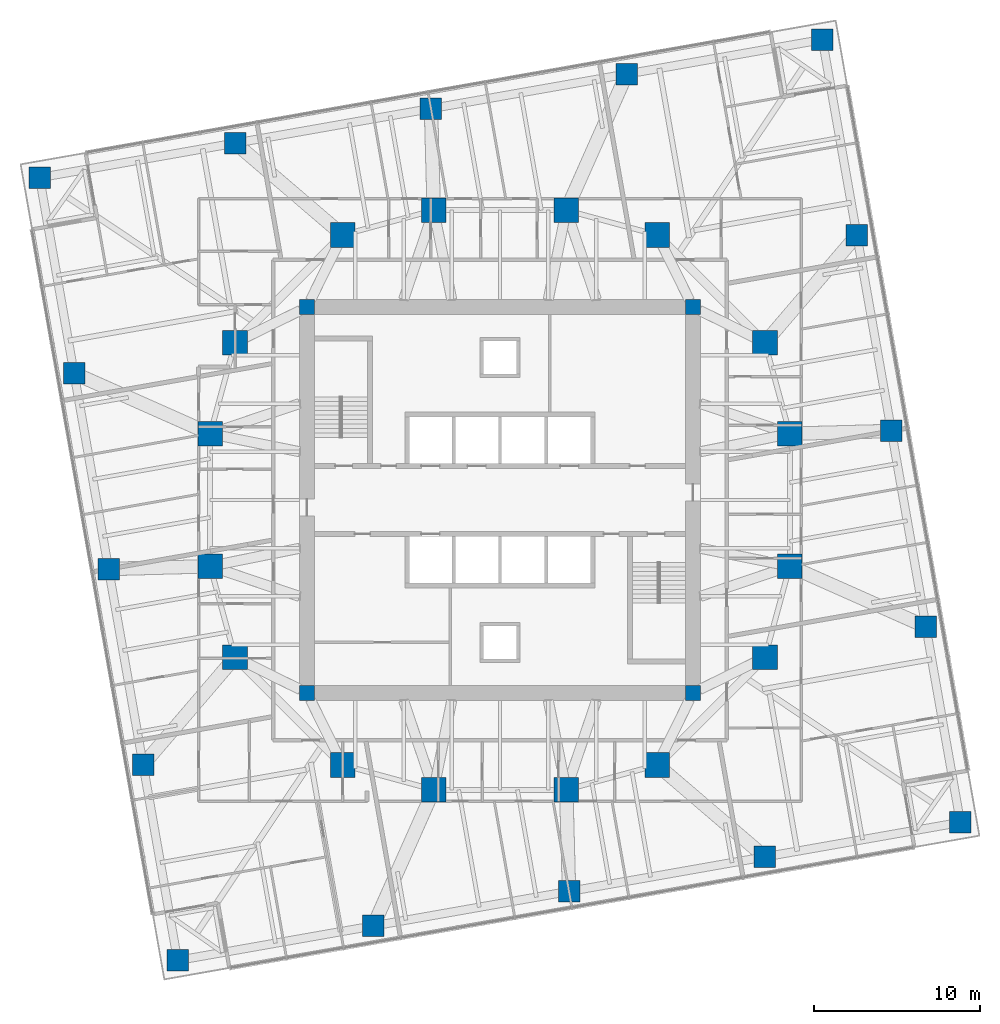
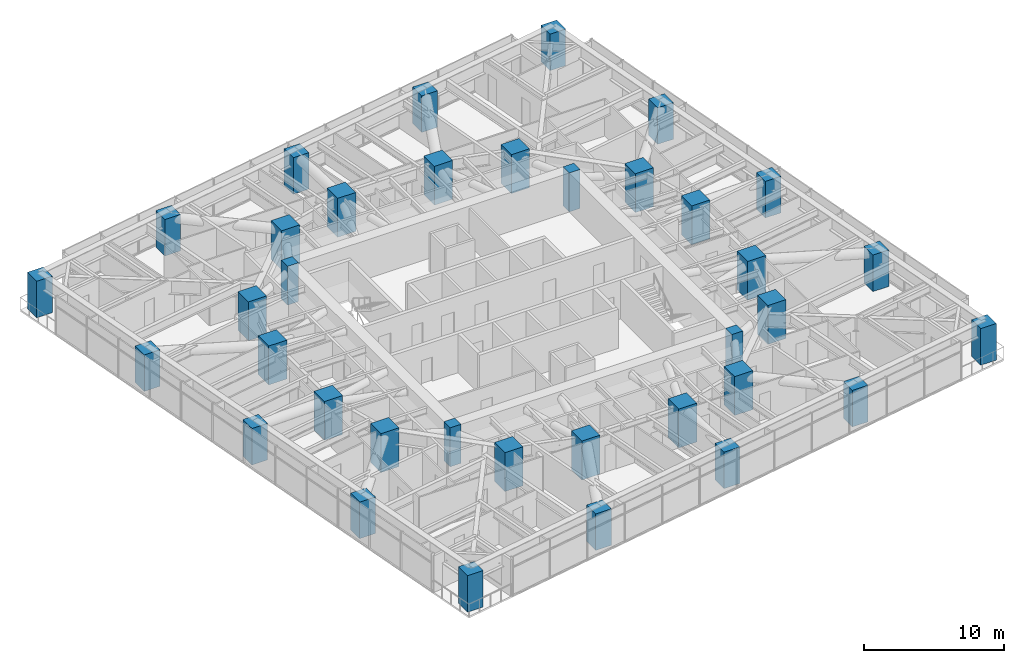
# One storey, part 1 of 17: 36 columns.
"""IFC4 building model written with IfcOpenShell, lengths in metres."""

from ifc_helpers import new_model, si_unit, direction, frame, origin, origin_2d, place, context, subcontext, project, spatial, rectangle, extrude, material, material_profile, profile_set, type_object, element, save


model = new_model("IFC4")

# Units and contexts
model_context = context("Model", 3, precision=1e-05, world=origin(), true_north=direction((0.0, 1.0)))
body_context = subcontext(model_context, "Body", "Model", "MODEL_VIEW")
ifc_project = project(units=[si_unit("LENGTHUNIT", "METRE"), si_unit("AREAUNIT", "SQUARE_METRE"), si_unit("VOLUMEUNIT", "CUBIC_METRE"), si_unit("PLANEANGLEUNIT", "RADIAN"), si_unit("MASSUNIT", "GRAM", prefix="KILO")], contexts=[model_context])

# Site, building, storey
site_placement = place(None, origin())
site = spatial("IfcSite", under=ifc_project, at=site_placement, CompositionType="ELEMENT")
building_placement = place(site_placement, origin())
building = spatial("IfcBuilding", under=site, at=building_placement, Name="Torsade Residences", CompositionType="ELEMENT")
storey_placement = place(building_placement, frame((0.0, 0.0, 103.199951171875)))
storey = spatial("IfcBuildingStorey", under=building, at=storey_placement, Name="L28", CompositionType="ELEMENT", Elevation=103.199951171875)

# Columns
ifc_material_1 = material(Name="Concrete 80 MPa", Category="concrete")
ifc_material_profile_1 = material_profile(ifc_material_1, rectangle(XDim=0.89990234375, YDim=0.89990234375, at=origin_2d()), Name="RC 900x900")
ifc_profile_set_1 = profile_set([ifc_material_profile_1], Name="Concrete 80 MPa")
column_type_1 = type_object("IfcColumnType", Name="CORE CORNER COLUMN RC 900x900", PredefinedType="COLUMN", material=ifc_profile_set_1)
for number, where, z_axis, x_axis, name in (
    (1, (28.35009765625, 18.35009765625, 0.0), (0.0, 0.0, 1.0), (1.0, 0.0, 0.0), "Core corner column CC1 L28"),
    (2, (51.64990234375, 18.35009765625, 0.0), (0.0, 0.0, 1.0), (1.0, 0.0, 0.0), "Core corner column CC2 L28"),
    (3, (51.64990234375, 41.64990234375, 0.0), (0.0, 0.0, 1.0), (1.0, 0.0, 0.0), "Core corner column CC3 L28"),
    (4, (28.35009765625, 41.64990234375, 0.0), (0.0, 0.0, 1.0), (1.0, 0.0, 0.0), "Core corner column CC4 L28"),
):
    element("IfcColumn", number, at=place(storey_placement, frame(where, z_axis=z_axis, x_axis=x_axis)), inside=storey, type_object=column_type_1, Name=name, PredefinedType="COLUMN", context=body_context, shape_type="SweptSolid", body=[
        extrude(rectangle(XDim=0.89990234375, YDim=0.89990234375, at=origin_2d()), origin(), (0.0, 0.0, 1.0), 3.400146484375),
    ])
ifc_material_2 = material(Name="Concrete 80 MPa", Category="concrete")
ifc_material_profile_2 = material_profile(ifc_material_2, rectangle(XDim=1.5, YDim=1.5, at=origin_2d()), Name="RC 1500x1500")
ifc_profile_set_2 = profile_set([ifc_material_profile_2], Name="Concrete 80 MPa")
column_type_2 = type_object("IfcColumnType", Name="INNER RING COLUMN RC 1500x1500", PredefinedType="COLUMN", material=ifc_profile_set_2)
for number, where, z_axis, x_axis, name in (
    (5, (57.5, 26.0, 0.0), (0.0, 0.0, 1.0), (1.0, 0.0, 0.0), "Inner ring column IR01 L28"),
    (6, (57.5, 34.0, 0.0), (0.0, 0.0, 1.0), (1.0, 0.0, 0.0), "Inner ring column IR02 L28"),
    (7, (56.0, 39.5, 0.0), (0.0, 0.0, 1.0), (1.0, 0.0, 0.0), "Inner ring column IR03 L28"),
    (8, (49.5, 46.0, 0.0), (0.0, 0.0, 1.0), (1.0, 0.0, 0.0), "Inner ring column IR04 L28"),
    (9, (44.0, 47.5, 0.0), (0.0, 0.0, 1.0), (1.0, 0.0, 0.0), "Inner ring column IR05 L28"),
    (10, (36.0, 47.5, 0.0), (0.0, 0.0, 1.0), (1.0, 0.0, 0.0), "Inner ring column IR06 L28"),
    (11, (30.5, 46.0, 0.0), (0.0, 0.0, 1.0), (1.0, 0.0, 0.0), "Inner ring column IR07 L28"),
    (12, (24.0, 39.5, 0.0), (0.0, 0.0, 1.0), (1.0, 0.0, 0.0), "Inner ring column IR08 L28"),
    (13, (22.5, 34.0, 0.0), (0.0, 0.0, 1.0), (1.0, 0.0, 0.0), "Inner ring column IR09 L28"),
    (14, (22.5, 26.0, 0.0), (0.0, 0.0, 1.0), (1.0, 0.0, 0.0), "Inner ring column IR10 L28"),
    (15, (24.0, 20.5, 0.0), (0.0, 0.0, 1.0), (1.0, 0.0, 0.0), "Inner ring column IR11 L28"),
    (16, (30.5, 14.0, 0.0), (0.0, 0.0, 1.0), (1.0, 0.0, 0.0), "Inner ring column IR12 L28"),
    (17, (36.0, 12.5, 0.0), (0.0, 0.0, 1.0), (1.0, 0.0, 0.0), "Inner ring column IR13 L28"),
    (18, (44.0, 12.5, 0.0), (0.0, 0.0, 1.0), (1.0, 0.0, 0.0), "Inner ring column IR14 L28"),
    (19, (49.5, 14.0, 0.0), (0.0, 0.0, 1.0), (1.0, 0.0, 0.0), "Inner ring column IR15 L28"),
    (20, (56.0, 20.5, 0.0), (0.0, 0.0, 1.0), (1.0, 0.0, 0.0), "Inner ring column IR16 L28"),
):
    element("IfcColumn", number, at=place(storey_placement, frame(where, z_axis=z_axis, x_axis=x_axis)), inside=storey, type_object=column_type_2, Name=name, PredefinedType="COLUMN", context=body_context, shape_type="SweptSolid", body=[
        extrude(rectangle(XDim=1.5, YDim=1.5, at=origin_2d()), origin(), (0.0, 0.0, 1.0), 3.400146484375),
    ])
ifc_material_3 = material(Name="Concrete 80 MPa", Category="concrete")
ifc_material_profile_3 = material_profile(ifc_material_3, rectangle(XDim=1.300048828125, YDim=1.300048828125, at=origin_2d()), Name="RC 1300x1300")
ifc_profile_set_3 = profile_set([ifc_material_profile_3], Name="Concrete 80 MPa")
column_type_3 = type_object("IfcColumnType", Name="TOWER COLUMN RC 1300x1300", PredefinedType="COLUMN", material=ifc_profile_set_3)
for number, where, z_axis, x_axis, name in (
    (21, (20.5322265625, 2.197021484375, 0.0), (0.0, 0.0, 1.0), (1.0, 0.0, 0.0), "Column TC3-01 L28"),
    (22, (32.349853515625, 4.28076171875, 0.0), (0.0, 0.0, 1.0), (1.0, 0.0, 0.0), "Column TC3-02 L28"),
    (23, (44.16748046875, 6.364501953125, 0.0), (0.0, 0.0, 1.0), (1.0, 0.0, 0.0), "Column TC3-03 L28"),
    (24, (55.9853515625, 8.448486328125, 0.0), (0.0, 0.0, 1.0), (1.0, 0.0, 0.0), "Column TC3-04 L28"),
    (25, (67.802978515625, 10.5322265625, 0.0), (0.0, 0.0, 1.0), (1.0, 0.0, 0.0), "Column TC3-05 L28"),
    (26, (65.71923828125, 22.349853515625, 0.0), (0.0, 0.0, 1.0), (1.0, 0.0, 0.0), "Column TC3-06 L28"),
    (27, (63.635498046875, 34.16748046875, 0.0), (0.0, 0.0, 1.0), (1.0, 0.0, 0.0), "Column TC3-07 L28"),
    (28, (61.551513671875, 45.9853515625, 0.0), (0.0, 0.0, 1.0), (1.0, 0.0, 0.0), "Column TC3-08 L28"),
    (29, (59.4677734375, 57.802978515625, 0.0), (0.0, 0.0, 1.0), (1.0, 0.0, 0.0), "Column TC3-09 L28"),
    (30, (47.650146484375, 55.71923828125, 0.0), (0.0, 0.0, 1.0), (1.0, 0.0, 0.0), "Column TC3-10 L28"),
    (31, (35.83251953125, 53.635498046875, 0.0), (0.0, 0.0, 1.0), (1.0, 0.0, 0.0), "Column TC3-11 L28"),
    (32, (24.0146484375, 51.551513671875, 0.0), (0.0, 0.0, 1.0), (1.0, 0.0, 0.0), "Column TC3-12 L28"),
    (33, (12.197021484375, 49.4677734375, 0.0), (0.0, 0.0, 1.0), (1.0, 0.0, 0.0), "Column TC3-13 L28"),
    (34, (14.28076171875, 37.650146484375, 0.0), (0.0, 0.0, 1.0), (1.0, 0.0, 0.0), "Column TC3-14 L28"),
    (35, (16.364501953125, 25.83251953125, 0.0), (0.0, 0.0, 1.0), (1.0, 0.0, 0.0), "Column TC3-15 L28"),
    (36, (18.448486328125, 14.0146484375, 0.0), (0.0, 0.0, 1.0), (1.0, 0.0, 0.0), "Column TC3-16 L28"),
):
    element("IfcColumn", number, at=place(storey_placement, frame(where, z_axis=z_axis, x_axis=x_axis)), inside=storey, type_object=column_type_3, Name=name, PredefinedType="COLUMN", context=body_context, shape_type="SweptSolid", body=[
        extrude(rectangle(XDim=1.300048828125, YDim=1.300048828125, at=origin_2d()), origin(), (0.0, 0.0, 1.0), 3.199951171875),
    ])

save(model, "model.ifc")
